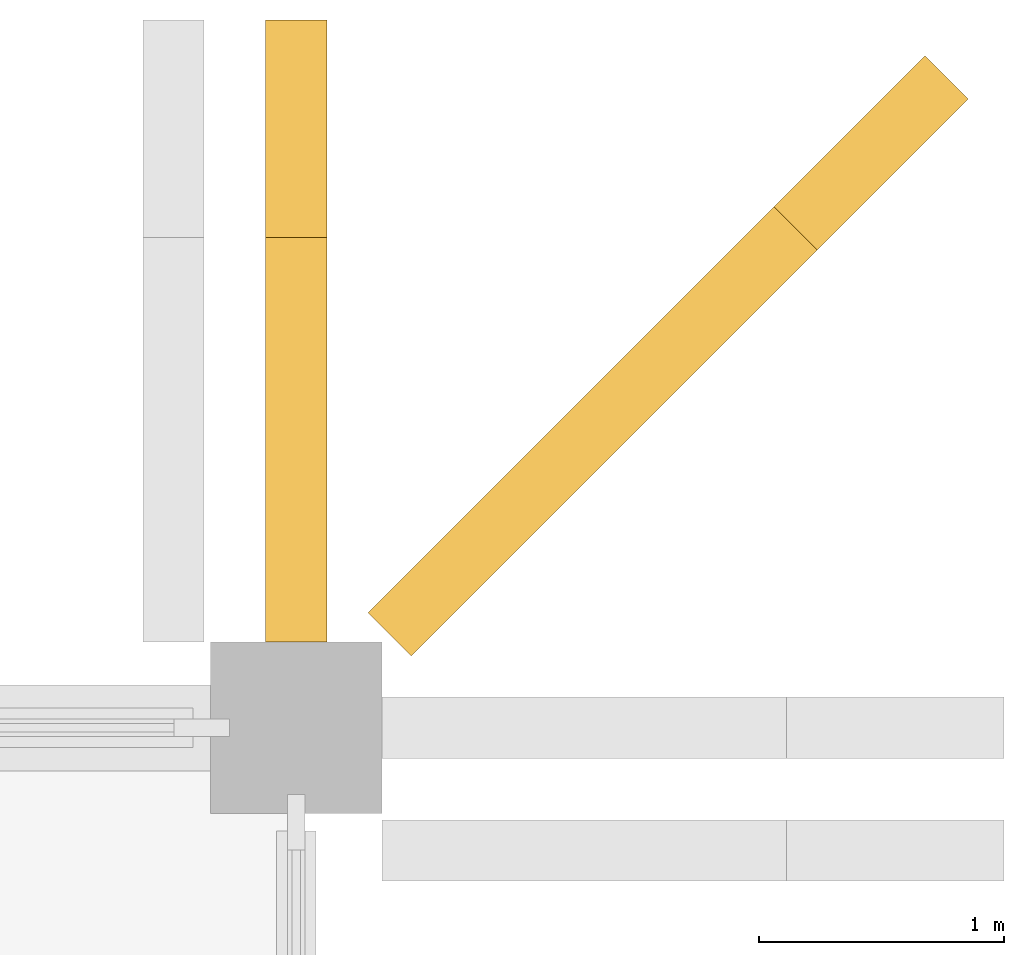
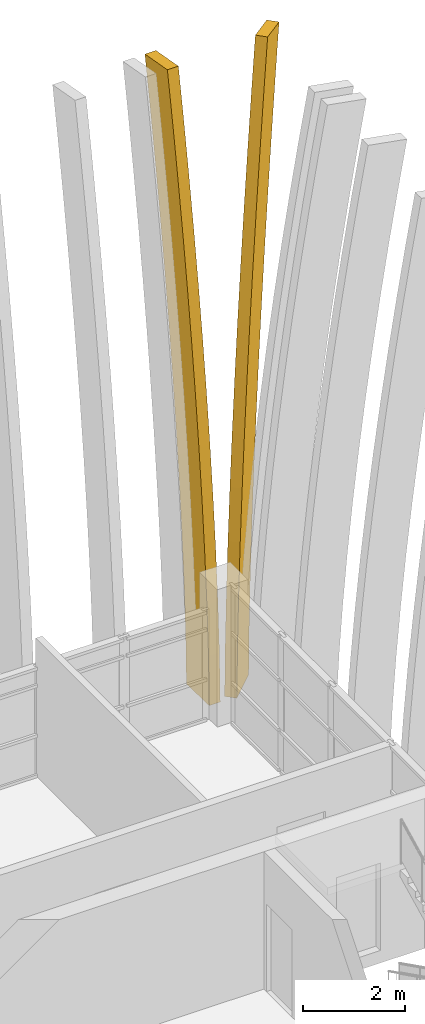
# One storey, part 18 of 19: 2 shading devices.
"""IFC4 building model written with IfcOpenShell, lengths in metres."""

from ifc_helpers import new_model, si_unit, direction, frame, origin, origin_2d, place, context, subcontext, project, spatial, rectangle, faceted_brep, material, material_profile, profile_set, type_object, element, save


model = new_model("IFC4")

# Units and contexts
model_context = context("Model", 3, precision=1e-05, world=origin(), true_north=direction((0.0, 1.0)))
body_context = subcontext(model_context, "Body", "Model", "MODEL_VIEW")
ifc_project = project(units=[si_unit("LENGTHUNIT", "METRE"), si_unit("AREAUNIT", "SQUARE_METRE"), si_unit("VOLUMEUNIT", "CUBIC_METRE"), si_unit("PLANEANGLEUNIT", "RADIAN"), si_unit("MASSUNIT", "GRAM", prefix="KILO")], contexts=[model_context])

# Site, building, storey
site_placement = place(None, origin())
site = spatial("IfcSite", under=ifc_project, at=site_placement, CompositionType="ELEMENT")
building_placement = place(site_placement, origin())
building = spatial("IfcBuilding", under=site, at=building_placement, Name="Rulbaag Community and Learning Centre", CompositionType="ELEMENT")
storey_placement = place(building_placement, frame((0.0, 0.0, 57.60009765625)))
storey = spatial("IfcBuildingStorey", under=building, at=storey_placement, Name="L15", CompositionType="ELEMENT", Elevation=57.60009765625)

# Shading devices
ifc_material = material(Name="Concrete M40", Category="concrete")
ifc_material_profile = material_profile(ifc_material, rectangle(XDim=0.25, YDim=0.89990234375, at=origin_2d()), Name="PC 250x900")
ifc_profile_set = profile_set([ifc_material_profile], Name="Concrete M40")
shading_device_type = type_object("IfcShadingDeviceType", Name="FIN-H", PredefinedType="JALOUSIE", material=ifc_profile_set)
shading_device_1_placement = place(storey_placement, frame((0.0, 0.0, -57.60009765625)))
element("IfcShadingDevice", 1, at=shading_device_1_placement, inside=storey, type_object=shading_device_type, Name="Precast crown fin", PredefinedType="JALOUSIE", context=body_context, shape_type="Brep", body=[
    faceted_brep([(167.875, 118.849853515625, 57.587646484375), (168.125, 118.849853515625, 57.587646484375), (168.125, 117.949951171875, 57.611083984375), (167.875, 117.949951171875, 57.611083984375), (167.875, 119.599609375, 71.89794921875), (168.125, 119.599609375, 71.89794921875), (168.125, 120.4853515625, 71.73876953125), (167.875, 120.4853515625, 71.73876953125), (168.125, 117.98095703125, 58.790771484375), (167.875, 117.98095703125, 58.790771484375), (168.125, 118.88037109375, 58.755126953125), (167.875, 118.88037109375, 58.755126953125), (168.125, 118.043701171875, 59.983154296875), (167.875, 118.043701171875, 59.983154296875), (168.125, 118.942138671875, 59.927001953125), (167.875, 118.942138671875, 59.927001953125), (168.125, 118.129638671875, 61.1748046875), (167.875, 118.129638671875, 61.1748046875), (168.125, 119.026611328125, 61.10302734375), (167.875, 119.026611328125, 61.10302734375), (168.125, 118.234619140625, 62.36669921875), (167.875, 118.234619140625, 62.36669921875), (168.125, 119.130615234375, 62.28125), (167.875, 119.130615234375, 62.28125), (168.125, 118.356689453125, 63.558349609375), (167.875, 118.356689453125, 63.558349609375), (168.125, 119.251220703125, 63.460693359375), (167.875, 119.251220703125, 63.460693359375), (168.125, 118.494140625, 64.75), (167.875, 118.494140625, 64.75), (168.125, 119.3876953125, 64.64111328125), (167.875, 119.3876953125, 64.64111328125), (168.125, 118.646484375, 65.941650390625), (167.875, 118.646484375, 65.941650390625), (168.125, 119.53857421875, 65.822509765625), (167.875, 119.53857421875, 65.822509765625), (168.125, 118.8125, 67.13330078125), (167.875, 118.8125, 67.13330078125), (168.125, 119.703125, 67.00439453125), (167.875, 119.703125, 67.00439453125), (168.125, 118.991455078125, 68.324951171875), (167.875, 118.991455078125, 68.324951171875), (168.125, 119.880615234375, 68.186767578125), (167.875, 119.880615234375, 68.186767578125), (168.125, 119.1826171875, 69.5166015625), (167.875, 119.1826171875, 69.5166015625), (168.125, 120.0703125, 69.36962890625), (167.875, 120.0703125, 69.36962890625), (168.125, 119.385498046875, 70.708251953125), (167.875, 119.385498046875, 70.708251953125), (168.125, 120.272216796875, 70.552978515625), (167.875, 120.272216796875, 70.552978515625)], [[[0, 1, 2, 3]], [[4, 5, 6, 7]], [[3, 2, 8, 9]], [[2, 1, 10, 8]], [[1, 0, 11, 10]], [[0, 3, 9, 11]], [[9, 8, 12, 13]], [[8, 10, 14, 12]], [[10, 11, 15, 14]], [[11, 9, 13, 15]], [[13, 12, 16, 17]], [[12, 14, 18, 16]], [[14, 15, 19, 18]], [[15, 13, 17, 19]], [[17, 16, 20, 21]], [[16, 18, 22, 20]], [[18, 19, 23, 22]], [[19, 17, 21, 23]], [[21, 20, 24, 25]], [[20, 22, 26, 24]], [[22, 23, 27, 26]], [[23, 21, 25, 27]], [[25, 24, 28, 29]], [[24, 26, 30, 28]], [[26, 27, 31, 30]], [[27, 25, 29, 31]], [[29, 28, 32, 33]], [[28, 30, 34, 32]], [[30, 31, 35, 34]], [[31, 29, 33, 35]], [[33, 32, 36, 37]], [[32, 34, 38, 36]], [[34, 35, 39, 38]], [[35, 33, 37, 39]], [[37, 36, 40, 41]], [[36, 38, 42, 40]], [[38, 39, 43, 42]], [[39, 37, 41, 43]], [[41, 40, 44, 45]], [[40, 42, 46, 44]], [[42, 43, 47, 46]], [[43, 41, 45, 47]], [[45, 44, 48, 49]], [[44, 46, 50, 48]], [[46, 47, 51, 50]], [[47, 45, 49, 51]], [[49, 48, 5, 4]], [[48, 50, 6, 5]], [[50, 51, 7, 6]], [[51, 49, 4, 7]]]),
])
shading_device_2_placement = place(storey_placement, frame((0.0, 0.0, -57.60009765625)))
element("IfcShadingDevice", 2, at=shading_device_2_placement, inside=storey, type_object=shading_device_type, Name="Precast crown corner fin", PredefinedType="JALOUSIE", context=body_context, shape_type="Brep", body=[
    faceted_brep([(169.10498046875, 118.528076171875, 57.582763671875), (168.92822265625, 118.704833984375, 57.582763671875), (168.29248046875, 118.069091796875, 57.615966796875), (168.46923828125, 117.892333984375, 57.615966796875), (170.1240234375, 119.546875, 71.931396484375), (169.947021484375, 119.723876953125, 71.931396484375), (170.56298828125, 120.33984375, 71.705322265625), (170.739990234375, 120.162841796875, 71.705322265625), (168.323486328125, 118.10009765625, 58.798095703125), (168.500244140625, 117.92333984375, 58.798095703125), (168.958740234375, 118.7353515625, 58.747802734375), (169.135498046875, 118.55859375, 58.747802734375), (168.38671875, 118.163330078125, 59.99462890625), (168.5634765625, 117.986572265625, 59.99462890625), (169.0205078125, 118.797119140625, 59.91552734375), (169.197265625, 118.620361328125, 59.91552734375), (168.47265625, 118.24951171875, 61.189697265625), (168.6494140625, 118.07275390625, 61.189697265625), (169.10498046875, 118.8818359375, 61.088134765625), (169.28173828125, 118.705078125, 61.088134765625), (168.577880859375, 118.354736328125, 62.384033203125), (168.754638671875, 118.177978515625, 62.384033203125), (169.208740234375, 118.985595703125, 62.263916015625), (169.385498046875, 118.808837890625, 62.263916015625), (168.70068359375, 118.477294921875, 63.578125), (168.87744140625, 118.300537109375, 63.578125), (169.32958984375, 119.106201171875, 63.44091796875), (169.50634765625, 118.929443359375, 63.44091796875), (168.8388671875, 118.61572265625, 64.77197265625), (169.015625, 118.43896484375, 64.77197265625), (169.4658203125, 119.24267578125, 64.619140625), (169.642578125, 119.06591796875, 64.619140625), (168.9912109375, 118.76806640625, 65.965576171875), (169.16796875, 118.59130859375, 65.965576171875), (169.61669921875, 119.3935546875, 65.798583984375), (169.79345703125, 119.216796875, 65.798583984375), (169.15771484375, 118.9345703125, 67.1591796875), (169.33447265625, 118.7578125, 67.1591796875), (169.78125, 119.55810546875, 66.978515625), (169.9580078125, 119.38134765625, 66.978515625), (169.3369140625, 119.11376953125, 68.3525390625), (169.513671875, 118.93701171875, 68.3525390625), (169.95849609375, 119.7353515625, 68.1591796875), (170.13525390625, 119.55859375, 68.1591796875), (169.52880859375, 119.305419921875, 69.545654296875), (169.70556640625, 119.128662109375, 69.545654296875), (170.1484375, 119.925048828125, 69.340576171875), (170.3251953125, 119.748291015625, 69.340576171875), (169.73193359375, 119.5087890625, 70.7373046875), (169.90869140625, 119.33203125, 70.7373046875), (170.35009765625, 120.126953125, 70.52392578125), (170.52685546875, 119.9501953125, 70.52392578125), (169.8193359375, 119.59619140625, 71.23046875), (169.99609375, 119.41943359375, 71.23046875), (170.4365234375, 120.21337890625, 71.0107421875), (170.61328125, 120.03662109375, 71.0107421875), (169.85546875, 119.63232421875, 71.431640625), (170.0322265625, 119.45556640625, 71.431640625), (170.47216796875, 120.2490234375, 71.20849609375), (170.64892578125, 120.072265625, 71.20849609375), (169.89208984375, 119.668701171875, 71.632080078125), (170.06884765625, 119.491943359375, 71.632080078125), (170.50830078125, 120.284912109375, 71.406494140625), (170.68505859375, 120.108154296875, 71.406494140625)], [[[0, 1, 2, 3]], [[4, 5, 6, 7]], [[3, 2, 8, 9]], [[2, 1, 10, 8]], [[1, 0, 11, 10]], [[0, 3, 9, 11]], [[9, 8, 12, 13]], [[8, 10, 14, 12]], [[10, 11, 15, 14]], [[11, 9, 13, 15]], [[13, 12, 16, 17]], [[12, 14, 18, 16]], [[14, 15, 19, 18]], [[15, 13, 17, 19]], [[17, 16, 20, 21]], [[16, 18, 22, 20]], [[18, 19, 23, 22]], [[19, 17, 21, 23]], [[21, 20, 24, 25]], [[20, 22, 26, 24]], [[22, 23, 27, 26]], [[23, 21, 25, 27]], [[25, 24, 28, 29]], [[24, 26, 30, 28]], [[26, 27, 31, 30]], [[27, 25, 29, 31]], [[29, 28, 32, 33]], [[28, 30, 34, 32]], [[30, 31, 35, 34]], [[31, 29, 33, 35]], [[33, 32, 36, 37]], [[32, 34, 38, 36]], [[34, 35, 39, 38]], [[35, 33, 37, 39]], [[37, 36, 40, 41]], [[36, 38, 42, 40]], [[38, 39, 43, 42]], [[39, 37, 41, 43]], [[41, 40, 44, 45]], [[40, 42, 46, 44]], [[42, 43, 47, 46]], [[43, 41, 45, 47]], [[45, 44, 48, 49]], [[44, 46, 50, 48]], [[46, 47, 51, 50]], [[47, 45, 49, 51]], [[49, 48, 52, 53]], [[48, 50, 54, 52]], [[50, 51, 55, 54]], [[51, 49, 53, 55]], [[53, 52, 56, 57]], [[52, 54, 58, 56]], [[54, 55, 59, 58]], [[55, 53, 57, 59]], [[57, 56, 60, 61]], [[56, 58, 62, 60]], [[58, 59, 63, 62]], [[59, 57, 61, 63]], [[61, 60, 5, 4]], [[60, 62, 6, 5]], [[62, 63, 7, 6]], [[63, 61, 4, 7]]]),
])

save(model, "model.ifc")
